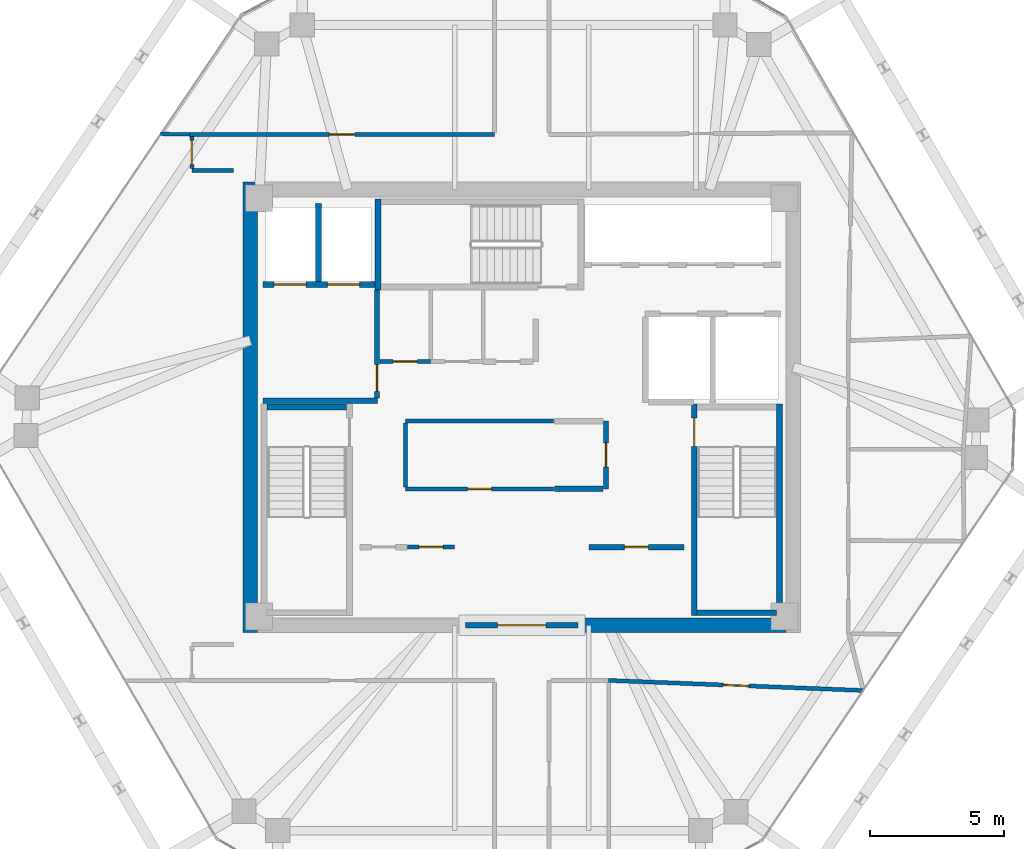
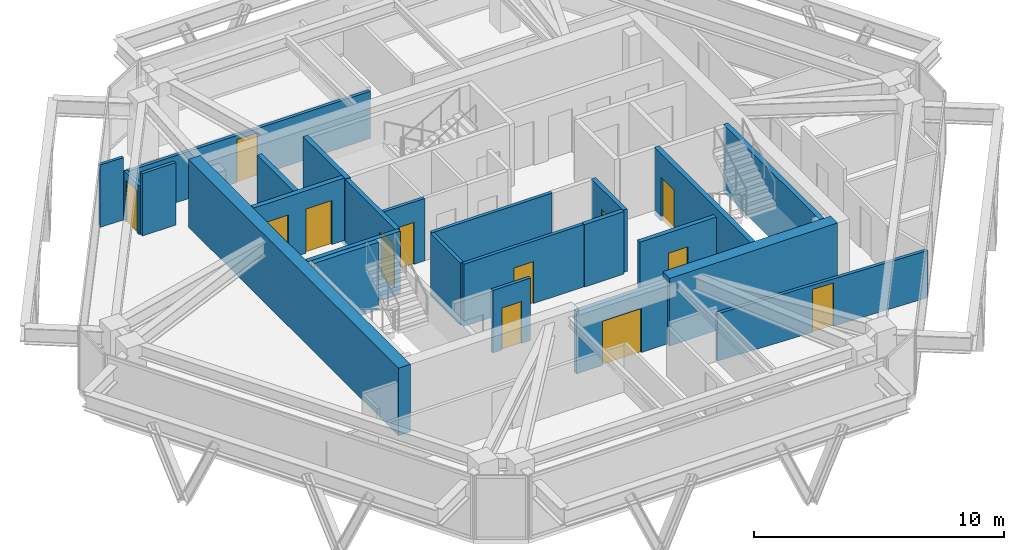
# One storey, part 8 of 11: 25 walls, 13 doors, 13 openings.
"""IFC4 building model written with IfcOpenShell, lengths in metres."""

from ifc_helpers import new_model, si_unit, direction, frame, frame_2d, origin, place, context, subcontext, project, spatial, rectangle, extrude, source, transform, mapped, material, layer, layer_set, type_object, type_shapes, element, fill, save


model = new_model("IFC4")

# Units and contexts
model_context = context("Model", 3, precision=1e-05, world=origin(), true_north=direction((0.0, 1.0)))
body_context = subcontext(model_context, "Body", "Model", "MODEL_VIEW")
ifc_project = project(units=[si_unit("LENGTHUNIT", "METRE"), si_unit("AREAUNIT", "SQUARE_METRE"), si_unit("VOLUMEUNIT", "CUBIC_METRE"), si_unit("PLANEANGLEUNIT", "RADIAN"), si_unit("MASSUNIT", "GRAM", prefix="KILO")], contexts=[model_context])

# Site, building, storey
site_placement = place(None, origin())
site = spatial("IfcSite", under=ifc_project, at=site_placement, CompositionType="ELEMENT")
building_placement = place(site_placement, origin())
building = spatial("IfcBuilding", under=site, at=building_placement, Name="Durnholm Broadcast Tower", CompositionType="ELEMENT")
storey_placement = place(building_placement, frame((0.0, 0.0, 218.300048828125)))
storey = spatial("IfcBuildingStorey", under=building, at=storey_placement, Name="L60", CompositionType="ELEMENT", Elevation=218.300048828125)

# Walls
ifc_material_1 = material(Name="Concrete C70/85", Category="concrete")
ifc_layer_1 = layer(ifc_material_1, 0.550048828125)
ifc_layer_set_1 = layer_set([ifc_layer_1], Name="Concrete C70/85")
wall_type_1 = type_object("IfcWallType", Name="WALL-CW-550", PredefinedType="SHEAR", material=ifc_layer_set_1)
wall_1_placement = place(storey_placement, frame((-10.125, -8.39990234375, 0.0), z_axis=(0.0, 0.0, 1.0), x_axis=(0.0, 1.0, 0.0)))
element("IfcWall", 1, at=wall_1_placement, inside=storey, type_object=wall_type_1, Name="L60 central core shear wall CW-WEST", PredefinedType="SHEAR", context=body_context, shape_type="SweptSolid", body=[
    extrude(rectangle(XDim=16.7998046875, YDim=0.550048828125, at=frame_2d((8.39990234375, 0.0))), origin(), (0.0, 0.0, 1.0), 3.300048828125),
])
wall_2_placement = place(storey_placement, frame((2.10009765625, -8.125, 0.0), z_axis=(0.0, 0.0, 1.0), x_axis=(1.0, 0.0, 0.0)))
element("IfcWall", 2, at=wall_2_placement, inside=storey, type_object=wall_type_1, Name="L60 central core shear wall CW-S2", PredefinedType="SHEAR", context=body_context, shape_type="SweptSolid", body=[
    extrude(rectangle(XDim=7.75, YDim=0.550048828125, at=frame_2d((3.875, 0.0))), origin(), (0.0, 0.0, 1.0), 3.300048828125),
])

# Wall, opening, door
ifc_material_2 = material(Name="Fire-Rated Gypsum Shaftwall", Category="concrete")
ifc_layer_2 = layer(ifc_material_2, 0.199951171875)
ifc_layer_set_2 = layer_set([ifc_layer_2], Name="Fire-Rated Gypsum Shaftwall")
wall_type_2 = type_object("IfcWallType", Name="WALL-LOB-200", PredefinedType="SOLIDWALL", material=ifc_layer_set_2)
wall_3_placement = place(storey_placement, frame((-2.10009765625, -8.125, 0.0), z_axis=(0.0, 0.0, 1.0), x_axis=(1.0, 0.0, 0.0)))
wall_3 = element("IfcWall", 3, at=wall_3_placement, inside=storey, type_object=wall_type_2, Name="L60 south core lobby fire screen", PredefinedType="SOLIDWALL", context=body_context, shape_type="SweptSolid", body=[
    extrude(rectangle(XDim=4.2001953125, YDim=0.199951171875, at=frame_2d((2.10009765625, 0.0))), origin(), (0.0, 0.0, 1.0), 3.044921875),
])
opening_1_placement = place(wall_3_placement, frame((1.199951171875, 0.0, 0.0)))
opening_1 = element("IfcOpeningElement", 4, at=opening_1_placement, cuts=wall_3, Name="Opening DP-60", PredefinedType="OPENING", context=body_context, shape_type="SweptSolid", body=[
    extrude(rectangle(XDim=1.800048828125, YDim=2.14990234375, at=frame_2d((0.89990234375, 1.074951171875))), frame((0.0, 0.10986328125, 0.0), z_axis=(0.0, -1.0, 0.0), x_axis=(1.0, 0.0, 0.0)), (0.0, 0.0, 1.0), 0.219970703125),
])
ifc_material_3 = material(Name="Fire-Rated Double Corridor Door", Category="steel")
ifc_layer_3 = layer(ifc_material_3, 0.050048828125)
ifc_layer_set_3 = layer_set([ifc_layer_3], Name="Fire-Rated Double Corridor Door")
door_type_1 = type_object("IfcDoorType", Name="DOOR-PAIR-FD60", OperationType="DOUBLE_DOOR_SINGLE_SWING", PredefinedType="DOOR", material=ifc_layer_set_3)
shared_shape_1 = source(origin(), body_context, "Body", "SweptSolid", [
    extrude(rectangle(XDim=1.800048828125, YDim=2.14990234375, at=frame_2d((0.89990234375, 1.074951171875))), frame((0.0, 0.02490234375, 0.0), z_axis=(0.0, -1.0, 0.0), x_axis=(1.0, 0.0, 0.0)), (0.0, 0.0, 1.0), 0.050048828125),
])
type_shapes(door_type_1, [shared_shape_1])
door_1_placement = place(opening_1_placement, origin())
door_1 = element("IfcDoor", 5, at=door_1_placement, inside=storey, type_object=door_type_1, Name="L60 south core lobby double fire door", OperationType="DOUBLE_DOOR_SINGLE_SWING", OverallHeight=2.14990234375, OverallWidth=1.800048828125, PredefinedType="DOOR", context=body_context, shape_type="MappedRepresentation", body=[
    mapped(shared_shape_1, transform((0.0, 0.0, 0.0), x_axis=(1.0, 0.0, 0.0), y_axis=(0.0, 1.0, 0.0), z_axis=(0.0, 0.0, 1.0), scale=1.0)),
])
fill(opening_1, door_1)

# Wall
wall_4_placement = place(storey_placement, frame((-9.64990234375, 0.25, 0.0), z_axis=(0.0, 0.0, 1.0), x_axis=(1.0, 0.0, 0.0)))
element("IfcWall", 6, at=wall_4_placement, inside=storey, type_object=wall_type_2, Name="L60 Fire Service Access Elevator lobby south wall", PredefinedType="SOLIDWALL", context=body_context, shape_type="SweptSolid", body=[
    extrude(rectangle(XDim=4.27001953125, YDim=0.199951171875, at=frame_2d((2.135009765625, 0.0))), origin(), (0.0, 0.0, 1.0), 3.044921875),
])

# Wall, opening, door
wall_5_placement = place(storey_placement, frame((-5.39990234375, 0.35400390625, 0.0), z_axis=(0.0, 0.0, 1.0), x_axis=(0.0, 1.0, 0.0)))
wall_5 = element("IfcWall", 7, at=wall_5_placement, inside=storey, type_object=wall_type_2, Name="L60 Fire Service Access Elevator lobby east fire wall", PredefinedType="SOLIDWALL", context=body_context, shape_type="SweptSolid", body=[
    extrude(rectangle(XDim=4.02587890625, YDim=0.199951171875, at=frame_2d((2.012939453125, 0.0))), origin(), (0.0, 0.0, 1.0), 3.044921875),
])
opening_2_placement = place(wall_5_placement, frame((0.24609375, 0.0, 0.0)))
opening_2 = element("IfcOpeningElement", 8, at=opening_2_placement, cuts=wall_5, Name="Opening DL-60L", PredefinedType="OPENING", context=body_context, shape_type="SweptSolid", body=[
    extrude(rectangle(XDim=1.0, YDim=2.14990234375, at=frame_2d((0.5, 1.074951171875))), frame((0.0, 0.10986328125, 0.0), z_axis=(0.0, -1.0, 0.0), x_axis=(1.0, 0.0, 0.0)), (0.0, 0.0, 1.0), 0.219970703125),
])
ifc_material_4 = material(Name="Fire-Rated Timber/Steel Door", Category="steel")
ifc_layer_4 = layer(ifc_material_4, 0.050048828125)
ifc_layer_set_4 = layer_set([ifc_layer_4], Name="Fire-Rated Timber/Steel Door")
door_type_2 = type_object("IfcDoorType", Name="DOOR-LOB-FD60-L", OperationType="NOTDEFINED", PredefinedType="DOOR", material=ifc_layer_set_4)
shared_shape_2 = source(origin(), body_context, "Body", "SweptSolid", [
    extrude(rectangle(XDim=1.0, YDim=2.14990234375, at=frame_2d((0.5, 1.074951171875))), frame((0.0, 0.02490234375, 0.0), z_axis=(0.0, -1.0, 0.0), x_axis=(1.0, 0.0, 0.0)), (0.0, 0.0, 1.0), 0.050048828125),
])
type_shapes(door_type_2, [shared_shape_2])
door_2_placement = place(opening_2_placement, origin())
door_2 = element("IfcDoor", 9, at=door_2_placement, inside=storey, type_object=door_type_2, Name="L60 Fire Service Access Elevator lobby smoke door", OperationType="SINGLE_SWING_LEFT", OverallHeight=2.14990234375, OverallWidth=1.0, PredefinedType="DOOR", context=body_context, shape_type="MappedRepresentation", body=[
    mapped(shared_shape_2, transform((0.0, 0.0, 0.0), x_axis=(1.0, 0.0, 0.0), y_axis=(0.0, 1.0, 0.0), z_axis=(0.0, 0.0, 1.0), scale=1.0)),
])
fill(opening_2, door_2)

wall_6_placement = place(storey_placement, frame((2.510009765625, -5.2099609375, 0.0), z_axis=(0.0, 0.0, 1.0), x_axis=(1.0, 0.0, 0.0)))
wall_6 = element("IfcWall", 10, at=wall_6_placement, inside=storey, type_object=wall_type_2, Name="L60 Telemetry Control Closet corridor partition", PredefinedType="SOLIDWALL", context=body_context, shape_type="SweptSolid", body=[
    extrude(rectangle(XDim=3.530029296875, YDim=0.199951171875, at=frame_2d((1.76513671875, 0.0))), origin(), (0.0, 0.0, 1.0), 3.044921875),
])
opening_3_placement = place(wall_6_placement, frame((1.31494140625, 0.0, 0.0)))
opening_3 = element("IfcOpeningElement", 11, at=opening_3_placement, cuts=wall_6, Name="Opening DC-60L", PredefinedType="OPENING", context=body_context, shape_type="SweptSolid", body=[
    extrude(rectangle(XDim=0.89990234375, YDim=2.050048828125, at=frame_2d((0.449951171875, 1.02490234375))), frame((0.0, 0.10986328125, 0.0), z_axis=(0.0, -1.0, 0.0), x_axis=(1.0, 0.0, 0.0)), (0.0, 0.0, 1.0), 0.219970703125),
])
ifc_material_5 = material(Name="Fire-Rated Core Service Door", Category="steel")
ifc_layer_5 = layer(ifc_material_5, 0.050048828125)
ifc_layer_set_5 = layer_set([ifc_layer_5], Name="Fire-Rated Core Service Door")
door_type_3 = type_object("IfcDoorType", Name="DOOR-CORE-FD60-L", OperationType="NOTDEFINED", PredefinedType="DOOR", material=ifc_layer_set_5)
shared_shape_3 = source(origin(), body_context, "Body", "SweptSolid", [
    extrude(rectangle(XDim=0.89990234375, YDim=2.050048828125, at=frame_2d((0.449951171875, 1.02490234375))), frame((0.0, 0.02490234375, 0.0), z_axis=(0.0, -1.0, 0.0), x_axis=(1.0, 0.0, 0.0)), (0.0, 0.0, 1.0), 0.050048828125),
])
type_shapes(door_type_3, [shared_shape_3])
door_3_placement = place(opening_3_placement, origin())
door_3 = element("IfcDoor", 12, at=door_3_placement, inside=storey, type_object=door_type_3, Name="L60 Telemetry Control Closet entrance door", OperationType="SINGLE_SWING_LEFT", OverallHeight=2.050048828125, OverallWidth=0.89990234375, PredefinedType="DOOR", context=body_context, shape_type="MappedRepresentation", body=[
    mapped(shared_shape_3, transform((0.0, 0.0, 0.0), x_axis=(1.0, 0.0, 0.0), y_axis=(0.0, 1.0, 0.0), z_axis=(0.0, 0.0, 1.0), scale=1.0)),
])
fill(opening_3, door_3)

wall_7_placement = place(storey_placement, frame((3.139892578125, -0.510009765625, 0.0), z_axis=(0.0, 0.0, 1.0), x_axis=(0.0, -1.0, 0.0)))
wall_7 = element("IfcWall", 13, at=wall_7_placement, inside=storey, type_object=wall_type_2, Name="L60 Core IT Telecom Room corridor partition", PredefinedType="SOLIDWALL", context=body_context, shape_type="SweptSolid", body=[
    extrude(rectangle(XDim=2.530029296875, YDim=0.199951171875, at=frame_2d((1.26513671875, 0.0))), origin(), (0.0, 0.0, 1.0), 3.044921875),
])
opening_4_placement = place(wall_7_placement, frame((0.81494140625, 0.0, 0.0)))
opening_4 = element("IfcOpeningElement", 14, at=opening_4_placement, cuts=wall_7, Name="Opening DC-60L", PredefinedType="OPENING", context=body_context, shape_type="SweptSolid", body=[
    extrude(rectangle(XDim=0.89990234375, YDim=2.050048828125, at=frame_2d((0.449951171875, 1.02490234375))), frame((0.0, 0.10986328125, 0.0), z_axis=(0.0, -1.0, 0.0), x_axis=(1.0, 0.0, 0.0)), (0.0, 0.0, 1.0), 0.219970703125),
])
door_4_placement = place(opening_4_placement, origin())
door_4 = element("IfcDoor", 15, at=door_4_placement, inside=storey, type_object=door_type_3, Name="L60 Core IT Telecom Room entrance door", OperationType="SINGLE_SWING_LEFT", OverallHeight=2.050048828125, OverallWidth=0.89990234375, PredefinedType="DOOR", context=body_context, shape_type="MappedRepresentation", body=[
    mapped(shared_shape_3, transform((0.0, 0.0, 0.0), x_axis=(1.0, 0.0, 0.0), y_axis=(0.0, 1.0, 0.0), z_axis=(0.0, 0.0, 1.0), scale=1.0)),
])
fill(opening_4, door_4)

# Walls
wall_8_placement = place(storey_placement, frame((3.035888671875, -3.0400390625, 0.0), z_axis=(0.0, 0.0, 1.0), x_axis=(-1.0, 0.0, 0.0)))
element("IfcWall", 16, at=wall_8_placement, inside=storey, type_object=wall_type_2, Name="L60 Core IT Telecom Room corridor partition", PredefinedType="SOLIDWALL", context=body_context, shape_type="SweptSolid", body=[
    extrude(rectangle(XDim=1.825927734375, YDim=0.199951171875, at=frame_2d((0.9130859375, 0.0))), origin(), (0.0, 0.0, 1.0), 3.044921875),
])
ifc_material_6 = material(Name="Gypsum Metal Stud Partition", Category="concrete")
ifc_layer_6 = layer(ifc_material_6, 0.135009765625)
ifc_layer_set_6 = layer_set([ifc_layer_6], Name="Gypsum Metal Stud Partition")
wall_type_3 = type_object("IfcWallType", Name="WALL-PART-135", PredefinedType="PARTITIONING", material=ifc_layer_set_6)
wall_9_placement = place(storey_placement, frame((-12.389892578125, 10.181396484375, 0.0), z_axis=(0.0, 0.0, 1.0), x_axis=(-0.999812128272, 0.019383192748, 0.0)))
element("IfcWall", 17, at=wall_9_placement, inside=storey, type_object=wall_type_3, Name="L60 room dividing partition 12.18", PredefinedType="PARTITIONING", context=body_context, shape_type="SweptSolid", body=[
    extrude(rectangle(XDim=1.083251953125, YDim=0.135009765625, at=frame_2d((0.54150390625, 0.0))), origin(), (0.0, 0.0, 1.0), 3.044921875),
])

# Wall, opening, door
ifc_material_7 = material(Name="Acoustic Gypsum Stud Partition", Category="concrete")
ifc_layer_7 = layer(ifc_material_7, 0.14990234375)
ifc_layer_set_7 = layer_set([ifc_layer_7], Name="Acoustic Gypsum Stud Partition")
wall_type_4 = type_object("IfcWallType", Name="WALL-PART-150", PredefinedType="PARTITIONING", material=ifc_layer_set_7)
wall_10_placement = place(storey_placement, frame((-4.260009765625, -5.2099609375, 0.0), z_axis=(0.0, 0.0, 1.0), x_axis=(1.0, 0.0, 0.0)))
wall_10 = element("IfcWall", 18, at=wall_10_placement, inside=storey, type_object=wall_type_4, Name="L60 Copy and Print Room corridor partition", PredefinedType="PARTITIONING", context=body_context, shape_type="SweptSolid", body=[
    extrude(rectangle(XDim=1.75, YDim=0.14990234375, at=frame_2d((0.875, 0.0))), origin(), (0.0, 0.0, 1.0), 3.044921875),
])
opening_5_placement = place(wall_10_placement, frame((0.425048828125, 0.0, 0.0)))
opening_5 = element("IfcOpeningElement", 19, at=opening_5_placement, cuts=wall_10, Name="Opening DC-60R", PredefinedType="OPENING", context=body_context, shape_type="SweptSolid", body=[
    extrude(rectangle(XDim=0.89990234375, YDim=2.050048828125, at=frame_2d((0.449951171875, 1.02490234375))), frame((0.0, 0.0849609375, 0.0), z_axis=(0.0, -1.0, 0.0), x_axis=(1.0, 0.0, 0.0)), (0.0, 0.0, 1.0), 0.169921875),
])
ifc_layer_8 = layer(ifc_material_5, 0.050048828125)
ifc_layer_set_8 = layer_set([ifc_layer_8], Name="Fire-Rated Core Service Door")
door_type_4 = type_object("IfcDoorType", Name="DOOR-CORE-FD60-R", OperationType="NOTDEFINED", PredefinedType="DOOR", material=ifc_layer_set_8)
shared_shape_4 = source(origin(), body_context, "Body", "SweptSolid", [
    extrude(rectangle(XDim=0.89990234375, YDim=2.050048828125, at=frame_2d((0.449951171875, 1.02490234375))), frame((0.0, 0.02490234375, 0.0), z_axis=(0.0, -1.0, 0.0), x_axis=(1.0, 0.0, 0.0)), (0.0, 0.0, 1.0), 0.050048828125),
])
type_shapes(door_type_4, [shared_shape_4])
door_5_placement = place(opening_5_placement, origin())
door_5 = element("IfcDoor", 20, at=door_5_placement, inside=storey, type_object=door_type_4, Name="L60 Copy and Print Room entrance door", OperationType="SINGLE_SWING_RIGHT", OverallHeight=2.050048828125, OverallWidth=0.89990234375, PredefinedType="DOOR", context=body_context, shape_type="MappedRepresentation", body=[
    mapped(shared_shape_4, transform((0.0, 0.0, 0.0), x_axis=(1.0, 0.0, 0.0), y_axis=(0.0, 1.0, 0.0), z_axis=(0.0, 0.0, 1.0), scale=1.0)),
])
fill(opening_5, door_5)

wall_11_placement = place(storey_placement, frame((1.18994140625, -3.0400390625, 0.0), z_axis=(0.0, 0.0, 1.0), x_axis=(-1.0, 0.0, 0.0)))
wall_11 = element("IfcWall", 21, at=wall_11_placement, inside=storey, type_object=wall_type_4, Name="L60 Broadcast Equipment Store corridor partition", PredefinedType="PARTITIONING", context=body_context, shape_type="SweptSolid", body=[
    extrude(rectangle(XDim=5.530029296875, YDim=0.14990234375, at=frame_2d((2.76513671875, 0.0))), origin(), (0.0, 0.0, 1.0), 3.044921875),
])
opening_6_placement = place(wall_11_placement, frame((2.31494140625, 0.0, 0.0)))
opening_6 = element("IfcOpeningElement", 22, at=opening_6_placement, cuts=wall_11, Name="Opening DC-60R", PredefinedType="OPENING", context=body_context, shape_type="SweptSolid", body=[
    extrude(rectangle(XDim=0.89990234375, YDim=2.050048828125, at=frame_2d((0.449951171875, 1.02490234375))), frame((0.0, 0.0849609375, 0.0), z_axis=(0.0, -1.0, 0.0), x_axis=(1.0, 0.0, 0.0)), (0.0, 0.0, 1.0), 0.169921875),
])
door_6_placement = place(opening_6_placement, origin())
door_6 = element("IfcDoor", 23, at=door_6_placement, inside=storey, type_object=door_type_4, Name="L60 Broadcast Equipment Store entrance door", OperationType="SINGLE_SWING_RIGHT", OverallHeight=2.050048828125, OverallWidth=0.89990234375, PredefinedType="DOOR", context=body_context, shape_type="MappedRepresentation", body=[
    mapped(shared_shape_4, transform((0.0, 0.0, 0.0), x_axis=(1.0, 0.0, 0.0), y_axis=(0.0, 1.0, 0.0), z_axis=(0.0, 0.0, 1.0), scale=1.0)),
])
fill(opening_6, door_6)

# Walls
wall_12_placement = place(storey_placement, frame((-4.340087890625, -0.510009765625, 0.0), z_axis=(0.0, 0.0, 1.0), x_axis=(1.0, 0.0, 0.0)))
element("IfcWall", 24, at=wall_12_placement, inside=storey, type_object=wall_type_4, Name="L60 Broadcast Equipment Store corridor partition", PredefinedType="PARTITIONING", context=body_context, shape_type="SweptSolid", body=[
    extrude(rectangle(XDim=5.530029296875, YDim=0.14990234375, at=frame_2d((2.76513671875, 0.0))), origin(), (0.0, 0.0, 1.0), 3.044921875),
])
wall_13_placement = place(storey_placement, frame((-4.340087890625, -2.9609375, 0.0), z_axis=(0.0, 0.0, 1.0), x_axis=(0.0, 1.0, 0.0)))
element("IfcWall", 25, at=wall_13_placement, inside=storey, type_object=wall_type_4, Name="L60 Broadcast Equipment Store corridor partition", PredefinedType="PARTITIONING", context=body_context, shape_type="SweptSolid", body=[
    extrude(rectangle(XDim=2.371826171875, YDim=0.14990234375, at=frame_2d((1.18603515625, 0.0))), origin(), (0.0, 0.0, 1.0), 3.044921875),
])

# Wall, opening, door
wall_14_placement = place(storey_placement, frame((-3.39990234375, 1.7099609375, 0.0), z_axis=(0.0, 0.0, 1.0), x_axis=(-1.0, 0.0, 0.0)))
wall_14 = element("IfcWall", 26, at=wall_14_placement, inside=storey, type_object=wall_type_4, Name="L60 Core Copy and Print Closet corridor partition", PredefinedType="PARTITIONING", context=body_context, shape_type="SweptSolid", body=[
    extrude(rectangle(XDim=1.89599609375, YDim=0.14990234375, at=frame_2d((0.947998046875, 0.0))), origin(), (0.0, 0.0, 1.0), 3.044921875),
])
opening_7_placement = place(wall_14_placement, frame((0.498046875, 0.0, 0.0)))
opening_7 = element("IfcOpeningElement", 27, at=opening_7_placement, cuts=wall_14, Name="Opening DC-60R", PredefinedType="OPENING", context=body_context, shape_type="SweptSolid", body=[
    extrude(rectangle(XDim=0.89990234375, YDim=2.050048828125, at=frame_2d((0.449951171875, 1.02490234375))), frame((0.0, 0.0849609375, 0.0), z_axis=(0.0, -1.0, 0.0), x_axis=(1.0, 0.0, 0.0)), (0.0, 0.0, 1.0), 0.169921875),
])
door_7_placement = place(opening_7_placement, origin())
door_7 = element("IfcDoor", 28, at=door_7_placement, inside=storey, type_object=door_type_4, Name="L60 Core Copy and Print Closet entrance door", OperationType="SINGLE_SWING_RIGHT", OverallHeight=2.050048828125, OverallWidth=0.89990234375, PredefinedType="DOOR", context=body_context, shape_type="MappedRepresentation", body=[
    mapped(shared_shape_4, transform((0.0, 0.0, 0.0), x_axis=(1.0, 0.0, 0.0), y_axis=(0.0, 1.0, 0.0), z_axis=(0.0, 0.0, 1.0), scale=1.0)),
])
fill(opening_7, door_7)

wall_15_placement = place(storey_placement, frame((-1.010009765625, 10.179931640625, 0.0), z_axis=(0.0, 0.0, 1.0), x_axis=(-1.0, 0.0, 0.0)))
wall_15 = element("IfcWall", 29, at=wall_15_placement, inside=storey, type_object=wall_type_4, Name="L60 Open Plan Broadcast Workspace 2 corridor partition", PredefinedType="PARTITIONING", context=body_context, shape_type="SweptSolid", body=[
    extrude(rectangle(XDim=11.3798828125, YDim=0.14990234375, at=frame_2d((5.68994140625, 0.0))), origin(), (0.0, 0.0, 1.0), 2.30126953125),
])
opening_8_placement = place(wall_15_placement, frame((5.215087890625, 0.0, 0.0)))
opening_8 = element("IfcOpeningElement", 30, at=opening_8_placement, cuts=wall_15, Name="Opening DR-95R", PredefinedType="OPENING", context=body_context, shape_type="SweptSolid", body=[
    extrude(rectangle(XDim=0.949951171875, YDim=2.10009765625, at=frame_2d((0.47509765625, 1.050048828125))), frame((0.0, 0.0849609375, 0.0), z_axis=(0.0, -1.0, 0.0), x_axis=(1.0, 0.0, 0.0)), (0.0, 0.0, 1.0), 0.169921875),
])
ifc_material_8 = material(Name="Acoustic Oak Veneer Timber Door", Category="wood")
ifc_layer_9 = layer(ifc_material_8, 0.050048828125)
ifc_layer_set_9 = layer_set([ifc_layer_9], Name="Acoustic Oak Veneer Timber Door")
door_type_5 = type_object("IfcDoorType", Name="DOOR-RM-950R", OperationType="NOTDEFINED", PredefinedType="DOOR", material=ifc_layer_set_9)
shared_shape_5 = source(origin(), body_context, "Body", "SweptSolid", [
    extrude(rectangle(XDim=0.949951171875, YDim=2.10009765625, at=frame_2d((0.47509765625, 1.050048828125))), frame((0.0, 0.02490234375, 0.0), z_axis=(0.0, -1.0, 0.0), x_axis=(1.0, 0.0, 0.0)), (0.0, 0.0, 1.0), 0.050048828125),
])
type_shapes(door_type_5, [shared_shape_5])
door_8_placement = place(opening_8_placement, origin())
door_8 = element("IfcDoor", 31, at=door_8_placement, inside=storey, type_object=door_type_5, Name="L60 Open Plan Broadcast Workspace 2 entrance door", OperationType="SINGLE_SWING_RIGHT", OverallHeight=2.10009765625, OverallWidth=0.949951171875, PredefinedType="DOOR", context=body_context, shape_type="MappedRepresentation", body=[
    mapped(shared_shape_5, transform((0.0, 0.0, 0.0), x_axis=(1.0, 0.0, 0.0), y_axis=(0.0, 1.0, 0.0), z_axis=(0.0, 0.0, 1.0), scale=1.0)),
])
fill(opening_8, door_8)

wall_16_placement = place(storey_placement, frame((3.239990234375, -10.18310546875, 0.0), z_axis=(0.0, 0.0, 1.0), x_axis=(0.999222675532, -0.039421373675, 0.0)))
wall_16 = element("IfcWall", 32, at=wall_16_placement, inside=storey, type_object=wall_type_4, Name="L60 Open Plan Broadcast Workspace 6 corridor partition", PredefinedType="PARTITIONING", context=body_context, shape_type="SweptSolid", body=[
    extrude(rectangle(XDim=9.50634765625, YDim=0.14990234375, at=frame_2d((4.753173828125, 0.0))), origin(), (0.0, 0.0, 1.0), 2.30126953125),
])
opening_9_placement = place(wall_16_placement, frame((4.278076171875, 0.0, 0.0)))
opening_9 = element("IfcOpeningElement", 33, at=opening_9_placement, cuts=wall_16, Name="Opening DR-95R", PredefinedType="OPENING", context=body_context, shape_type="SweptSolid", body=[
    extrude(rectangle(XDim=0.949951171875, YDim=2.10009765625, at=frame_2d((0.47509765625, 1.050048828125))), frame((0.0, 0.0849609375, 0.0), z_axis=(0.0, -1.0, 0.0), x_axis=(1.0, 0.0, 0.0)), (0.0, 0.0, 1.0), 0.169921875),
])
door_9_placement = place(opening_9_placement, origin())
door_9 = element("IfcDoor", 34, at=door_9_placement, inside=storey, type_object=door_type_5, Name="L60 Open Plan Broadcast Workspace 6 entrance door", OperationType="SINGLE_SWING_RIGHT", OverallHeight=2.10009765625, OverallWidth=0.949951171875, PredefinedType="DOOR", context=body_context, shape_type="MappedRepresentation", body=[
    mapped(shared_shape_5, transform((0.0, 0.0, 0.0), x_axis=(1.0, 0.0, 0.0), y_axis=(0.0, 1.0, 0.0), z_axis=(0.0, 0.0, 1.0), scale=1.0)),
])
fill(opening_9, door_9)

# Wall
wall_17_placement = place(storey_placement, frame((-12.31005859375, 8.840087890625, 0.0), z_axis=(0.0, 0.0, 1.0), x_axis=(1.0, 0.0, 0.0)))
element("IfcWall", 35, at=wall_17_placement, inside=storey, type_object=wall_type_4, Name="L60 Executive Board Auditorium corridor partition", PredefinedType="PARTITIONING", context=body_context, shape_type="SweptSolid", body=[
    extrude(rectangle(XDim=1.550048828125, YDim=0.14990234375, at=frame_2d((0.77490234375, 0.0))), origin(), (0.0, 0.0, 1.0), 3.044921875),
])

# Wall, opening, door
wall_18_placement = place(storey_placement, frame((-12.31005859375, 10.10107421875, 0.0), z_axis=(0.0, 0.0, 1.0), x_axis=(0.0, -1.0, 0.0)))
wall_18 = element("IfcWall", 36, at=wall_18_placement, inside=storey, type_object=wall_type_4, Name="L60 Executive Board Auditorium corridor partition", PredefinedType="PARTITIONING", context=body_context, shape_type="SweptSolid", body=[
    extrude(rectangle(XDim=1.18212890625, YDim=0.14990234375, at=frame_2d((0.591064453125, 0.0))), origin(), (0.0, 0.0, 1.0), 2.398681640625),
])
opening_10_placement = place(wall_18_placement, frame((0.14111328125, 0.0, 0.0)))
opening_10 = element("IfcOpeningElement", 37, at=opening_10_placement, cuts=wall_18, Name="Opening DW-90R", PredefinedType="OPENING", context=body_context, shape_type="SweptSolid", body=[
    extrude(rectangle(XDim=0.89990234375, YDim=2.050048828125, at=frame_2d((0.449951171875, 1.02490234375))), frame((0.0, 0.0849609375, 0.0), z_axis=(0.0, -1.0, 0.0), x_axis=(1.0, 0.0, 0.0)), (0.0, 0.0, 1.0), 0.169921875),
])
ifc_material_9 = material(Name="Laminate Restroom Door", Category="steel")
ifc_layer_10 = layer(ifc_material_9, 0.050048828125)
ifc_layer_set_10 = layer_set([ifc_layer_10], Name="Laminate Restroom Door")
door_type_6 = type_object("IfcDoorType", Name="DOOR-WC-900R", OperationType="NOTDEFINED", PredefinedType="DOOR", material=ifc_layer_set_10)
shared_shape_6 = source(origin(), body_context, "Body", "SweptSolid", [
    extrude(rectangle(XDim=0.89990234375, YDim=2.050048828125, at=frame_2d((0.449951171875, 1.02490234375))), frame((0.0, 0.02490234375, 0.0), z_axis=(0.0, -1.0, 0.0), x_axis=(1.0, 0.0, 0.0)), (0.0, 0.0, 1.0), 0.050048828125),
])
type_shapes(door_type_6, [shared_shape_6])
door_10_placement = place(opening_10_placement, origin())
door_10 = element("IfcDoor", 38, at=door_10_placement, inside=storey, type_object=door_type_6, Name="L60 Executive Board Auditorium entrance door", OperationType="SINGLE_SWING_RIGHT", OverallHeight=2.050048828125, OverallWidth=0.89990234375, PredefinedType="DOOR", context=body_context, shape_type="MappedRepresentation", body=[
    mapped(shared_shape_6, transform((0.0, 0.0, 0.0), x_axis=(1.0, 0.0, 0.0), y_axis=(0.0, 1.0, 0.0), z_axis=(0.0, 0.0, 1.0), scale=1.0)),
])
fill(opening_10, door_10)

# Wall, openings, doors
ifc_material_10 = material(Name="Concrete Blockwork C30/37", Category="masonry")
ifc_layer_11 = layer(ifc_material_10, 0.219970703125)
ifc_layer_set_11 = layer_set([ifc_layer_11], Name="Concrete Blockwork C30/37")
wall_type_5 = type_object("IfcWallType", Name="WALL-SHAFT-220", PredefinedType="SOLIDWALL", material=ifc_layer_set_11)
wall_19_placement = place(storey_placement, frame((-9.64990234375, 4.580078125, 0.0), z_axis=(0.0, 0.0, 1.0), x_axis=(1.0, 0.0, 0.0)))
wall_19 = element("IfcWall", 39, at=wall_19_placement, inside=storey, type_object=wall_type_5, Name="L60 FSAE hoistway front fire wall", PredefinedType="SOLIDWALL", context=body_context, shape_type="SweptSolid", body=[
    extrude(rectangle(XDim=4.1748046875, YDim=0.219970703125, at=frame_2d((2.08740234375, 0.0))), origin(), (0.0, 0.0, 1.0), 3.044921875),
])
opening_11_placement = place(wall_19_placement, frame((0.39990234375, 0.0, 0.0)))
opening_11 = element("IfcOpeningElement", 40, at=opening_11_placement, cuts=wall_19, Name="Opening LD-FSAE-2", PredefinedType="OPENING", context=body_context, shape_type="SweptSolid", body=[
    extrude(rectangle(XDim=1.199951171875, YDim=2.14990234375, at=frame_2d((0.60009765625, 1.074951171875))), frame((0.0, 0.1201171875, 0.0), z_axis=(0.0, -1.0, 0.0), x_axis=(1.0, 0.0, 0.0)), (0.0, 0.0, 1.0), 0.239990234375),
])
opening_12_placement = place(wall_19_placement, frame((2.39990234375, 0.0, 0.0)))
opening_12 = element("IfcOpeningElement", 41, at=opening_12_placement, cuts=wall_19, Name="Opening LD-FSAE-1", PredefinedType="OPENING", context=body_context, shape_type="SweptSolid", body=[
    extrude(rectangle(XDim=1.199951171875, YDim=2.14990234375, at=frame_2d((0.60009765625, 1.074951171875))), frame((0.0, 0.1201171875, 0.0), z_axis=(0.0, -1.0, 0.0), x_axis=(1.0, 0.0, 0.0)), (0.0, 0.0, 1.0), 0.239990234375),
])
ifc_material_11 = material(Name="Fire Service Access Sliding Landing Door", Category="steel")
ifc_layer_12 = layer(ifc_material_11, 0.050048828125)
ifc_layer_set_12 = layer_set([ifc_layer_12], Name="Fire Service Access Sliding Landing Door")
door_type_7 = type_object("IfcDoorType", Name="DOOR-LIFT-FSAE", OperationType="DOUBLE_DOOR_SLIDING", PredefinedType="DOOR", material=ifc_layer_set_12)
shared_shape_7 = source(origin(), body_context, "Body", "SweptSolid", [
    extrude(rectangle(XDim=1.199951171875, YDim=2.14990234375, at=frame_2d((0.60009765625, 1.074951171875))), frame((0.0, 0.02490234375, 0.0), z_axis=(0.0, -1.0, 0.0), x_axis=(1.0, 0.0, 0.0)), (0.0, 0.0, 1.0), 0.050048828125),
])
type_shapes(door_type_7, [shared_shape_7])
door_11_placement = place(opening_11_placement, origin())
door_11 = element("IfcDoor", 42, at=door_11_placement, inside=storey, type_object=door_type_7, Name="L60 Fire Service Access Elevator FSAE-2 sliding landing door", OperationType="DOUBLE_DOOR_SLIDING", OverallHeight=2.14990234375, OverallWidth=1.199951171875, PredefinedType="DOOR", context=body_context, shape_type="MappedRepresentation", body=[
    mapped(shared_shape_7, transform((0.0, 0.0, 0.0), x_axis=(1.0, 0.0, 0.0), y_axis=(0.0, 1.0, 0.0), z_axis=(0.0, 0.0, 1.0), scale=1.0)),
])
fill(opening_11, door_11)
door_12_placement = place(opening_12_placement, origin())
door_12 = element("IfcDoor", 43, at=door_12_placement, inside=storey, type_object=door_type_7, Name="L60 Fire Service Access Elevator FSAE-1 sliding landing door", OperationType="DOUBLE_DOOR_SLIDING", OverallHeight=2.14990234375, OverallWidth=1.199951171875, PredefinedType="DOOR", context=body_context, shape_type="MappedRepresentation", body=[
    mapped(shared_shape_7, transform((0.0, 0.0, 0.0), x_axis=(1.0, 0.0, 0.0), y_axis=(0.0, 1.0, 0.0), z_axis=(0.0, 0.0, 1.0), scale=1.0)),
])
fill(opening_12, door_12)

# Walls
wall_20_placement = place(storey_placement, frame((-7.580078125, 4.694091796875, 0.0), z_axis=(0.0, 0.0, 1.0), x_axis=(0.0, 1.0, 0.0)))
element("IfcWall", 44, at=wall_20_placement, inside=storey, type_object=wall_type_5, Name="L60 FSAE shaft divider wall", PredefinedType="SOLIDWALL", context=body_context, shape_type="SweptSolid", body=[
    extrude(rectangle(XDim=2.906005859375, YDim=0.219970703125, at=frame_2d((1.453125, 0.0))), origin(), (0.0, 0.0, 1.0), 3.044921875),
])
ifc_material_12 = material(Name="Concrete C50/60", Category="concrete")
ifc_layer_13 = layer(ifc_material_12, 0.219970703125)
ifc_layer_set_13 = layer_set([ifc_layer_13], Name="Concrete C50/60")
wall_type_6 = type_object("IfcWallType", Name="WALL-SW-220", PredefinedType="SHEAR", material=ifc_layer_set_13)
wall_21_placement = place(storey_placement, frame((-6.5400390625, 0.010009765625, -0.239990234375), z_axis=(0.0, 0.0, 1.0), x_axis=(-1.0, 0.0, 0.0)))
element("IfcWall", 45, at=wall_21_placement, inside=storey, type_object=wall_type_6, Name="L60 stair ST-1 structural shaft wall N", PredefinedType="SHEAR", context=body_context, shape_type="SweptSolid", body=[
    extrude(rectangle(XDim=2.9599609375, YDim=0.219970703125, at=frame_2d((1.47998046875, 0.0))), origin(), (0.0, 0.0, 1.0), 3.300048828125),
])
wall_22_placement = place(storey_placement, frame((9.610107421875, -7.77001953125, -0.239990234375), z_axis=(0.0, 0.0, 1.0), x_axis=(0.0, 1.0, 0.0)))
element("IfcWall", 46, at=wall_22_placement, inside=storey, type_object=wall_type_6, Name="L60 stair ST-2 structural shaft wall E", PredefinedType="SHEAR", context=body_context, shape_type="SweptSolid", body=[
    extrude(rectangle(XDim=7.89013671875, YDim=0.219970703125, at=frame_2d((3.945068359375, 0.0))), origin(), (0.0, 0.0, 1.0), 3.300048828125),
])

# Wall, opening, door
wall_23_placement = place(storey_placement, frame((6.429931640625, 0.1201171875, -0.239990234375), z_axis=(0.0, 0.0, 1.0), x_axis=(0.0, -1.0, 0.0)))
wall_23 = element("IfcWall", 47, at=wall_23_placement, inside=storey, type_object=wall_type_6, Name="L60 stair ST-2 structural shaft wall W", PredefinedType="SHEAR", context=body_context, shape_type="SweptSolid", body=[
    extrude(rectangle(XDim=7.89013671875, YDim=0.219970703125, at=frame_2d((3.945068359375, 0.0))), origin(), (0.0, 0.0, 1.0), 3.300048828125),
])
opening_13_placement = place(wall_23_placement, frame((0.52001953125, 0.0, 0.0)))
opening_13 = element("IfcOpeningElement", 48, at=opening_13_placement, cuts=wall_23, Name="Opening DS-90R", PredefinedType="OPENING", context=body_context, shape_type="SweptSolid", body=[
    extrude(rectangle(XDim=1.050048828125, YDim=2.14990234375, at=frame_2d((0.52490234375, 1.074951171875))), frame((0.0, 0.1201171875, 0.0), z_axis=(0.0, -1.0, 0.0), x_axis=(1.0, 0.0, 0.0)), (0.0, 0.0, 1.0), 0.239990234375),
])
ifc_material_13 = material(Name="Fire-Rated Steel Door", Category="steel")
ifc_layer_14 = layer(ifc_material_13, 0.050048828125)
ifc_layer_set_14 = layer_set([ifc_layer_14], Name="Fire-Rated Steel Door")
door_type_8 = type_object("IfcDoorType", Name="DOOR-ST-FD90-R", OperationType="NOTDEFINED", PredefinedType="DOOR", material=ifc_layer_set_14)
shared_shape_8 = source(origin(), body_context, "Body", "SweptSolid", [
    extrude(rectangle(XDim=1.050048828125, YDim=2.14990234375, at=frame_2d((0.52490234375, 1.074951171875))), frame((0.0, 0.02490234375, 0.0), z_axis=(0.0, -1.0, 0.0), x_axis=(1.0, 0.0, 0.0)), (0.0, 0.0, 1.0), 0.050048828125),
])
type_shapes(door_type_8, [shared_shape_8])
door_13_placement = place(opening_13_placement, origin())
door_13 = element("IfcDoor", 49, at=door_13_placement, inside=storey, type_object=door_type_8, Name="L60 exit stair ST-2 fire door", OperationType="SINGLE_SWING_RIGHT", OverallHeight=2.14990234375, OverallWidth=1.050048828125, PredefinedType="DOOR", context=body_context, shape_type="MappedRepresentation", body=[
    mapped(shared_shape_8, transform((0.0, 0.0, 0.0), x_axis=(1.0, 0.0, 0.0), y_axis=(0.0, 1.0, 0.0), z_axis=(0.0, 0.0, 1.0), scale=1.0)),
])
fill(opening_13, door_13)

# Walls
wall_24_placement = place(storey_placement, frame((6.5400390625, -7.659912109375, -0.239990234375), z_axis=(0.0, 0.0, 1.0), x_axis=(1.0, 0.0, 0.0)))
element("IfcWall", 50, at=wall_24_placement, inside=storey, type_object=wall_type_6, Name="L60 stair ST-2 structural shaft wall S", PredefinedType="SHEAR", context=body_context, shape_type="SweptSolid", body=[
    extrude(rectangle(XDim=2.9599609375, YDim=0.219970703125, at=frame_2d((1.47998046875, 0.0))), origin(), (0.0, 0.0, 1.0), 3.300048828125),
])
wall_25_placement = place(storey_placement, frame((-5.360107421875, 7.780029296875, -0.239990234375), z_axis=(0.0, 0.0, 1.0), x_axis=(0.0, -1.0, 0.0)))
element("IfcWall", 51, at=wall_25_placement, inside=storey, type_object=wall_type_6, Name="L60 stair ST-3 structural shaft wall W", PredefinedType="SHEAR", context=body_context, shape_type="SweptSolid", body=[
    extrude(rectangle(XDim=3.400146484375, YDim=0.219970703125, at=frame_2d((1.7001953125, 0.0))), origin(), (0.0, 0.0, 1.0), 3.300048828125),
])

save(model, "model.ifc")
